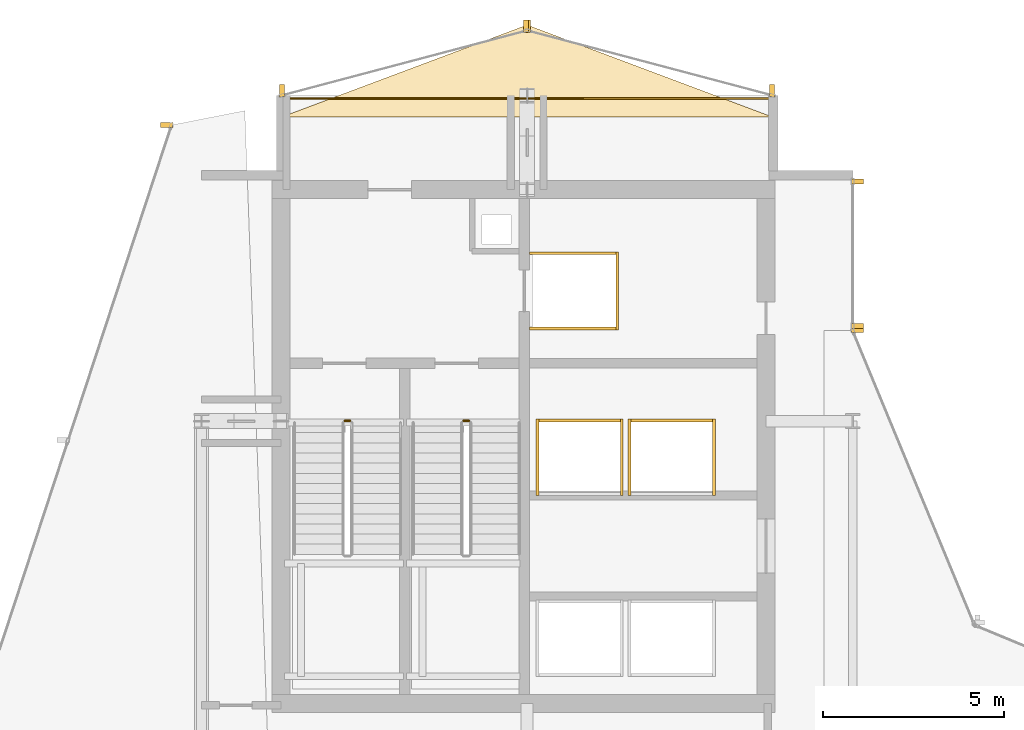
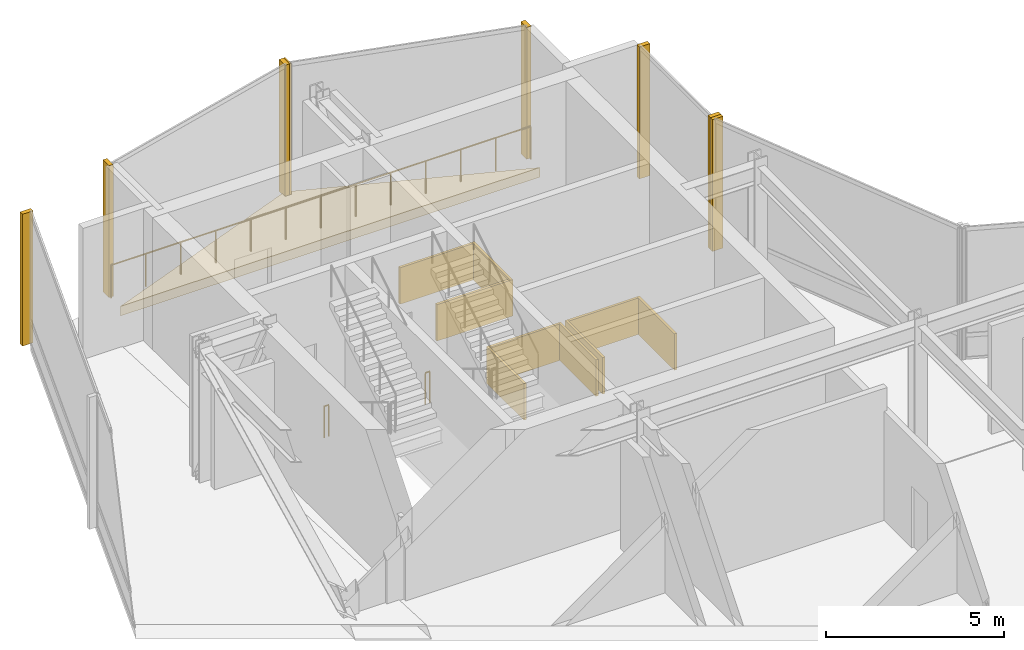
# One storey, part 30 of 30: 10 coverings, 8 shading devices, 3 railings.
"""IFC4 building model written with IfcOpenShell, lengths in metres."""

from ifc_helpers import new_model, si_unit, direction, frame, origin, origin_2d, place, context, subcontext, project, spatial, polyline, rectangle, circle, outline, extrude, material, layer, layer_set, type_object, element, save


model = new_model("IFC4")

# Units and contexts
model_context = context("Model", 3, precision=1e-05, world=origin(), true_north=direction((0.0, 1.0)))
body_context = subcontext(model_context, "Body", "Model", "MODEL_VIEW")
ifc_project = project(units=[si_unit("LENGTHUNIT", "METRE"), si_unit("AREAUNIT", "SQUARE_METRE"), si_unit("VOLUMEUNIT", "CUBIC_METRE"), si_unit("PLANEANGLEUNIT", "RADIAN"), si_unit("MASSUNIT", "GRAM", prefix="KILO")], contexts=[model_context])

# Site, building, storey
site_placement = place(None, origin())
site = spatial("IfcSite", under=ifc_project, at=site_placement, CompositionType="ELEMENT")
building_placement = place(site_placement, origin())
building = spatial("IfcBuilding", under=site, at=building_placement, Name="Solvaryn Broadcast Tower", CompositionType="ELEMENT")
storey_placement = place(building_placement, frame((0.0, 0.0, 196.39990234375)))
storey = spatial("IfcBuildingStorey", under=building, at=storey_placement, Name="L49", CompositionType="ELEMENT", Elevation=196.39990234375)

# Coverings
ifc_material_1 = material(Name="Fire-Rated Gypsum Shaftwall Liner", Category="concrete")
ifc_layer_1 = layer(ifc_material_1, 0.080078125)
ifc_layer_set_1 = layer_set([ifc_layer_1], Name="CV-SHAFT-LINER")
covering_type_1 = type_object("IfcCoveringType", Name="CV-SHAFT-LINER", PredefinedType="CLADDING", material=ifc_layer_set_1)
for number, where, z_axis, x_axis, name in (
    (1, (19.300048828125, 40.639892578125, 0.0), (0.0, 0.0, 1.0), (1.0, 0.0, 0.0), "L49 FL1 Hoistway Shaft Liner North"),
    (2, (19.300048828125, 38.56005859375, 0.0), (0.0, 0.0, 1.0), (1.0, 0.0, 0.0), "L49 FL1 Hoistway Shaft Liner South"),
):
    element("IfcCovering", number, at=place(storey_placement, frame(where, z_axis=z_axis, x_axis=x_axis)), inside=storey, type_object=covering_type_1, Name=name, PredefinedType="CLADDING", context=body_context, shape_type="SweptSolid", body=[
        extrude(rectangle(XDim=2.4599609375, YDim=0.080078125, at=origin_2d()), origin(), (0.0, 0.0, 1.0), 1.25),
    ])
covering_1_placement = place(storey_placement, frame((20.489990234375, 39.60009765625, 0.0), z_axis=(0.0, 0.0, 1.0), x_axis=(1.0, 0.0, 0.0)))
element("IfcCovering", 3, at=covering_1_placement, inside=storey, type_object=covering_type_1, Name="L49 FL1 Hoistway Shaft Liner East", PredefinedType="CLADDING", context=body_context, shape_type="SweptSolid", body=[
    extrude(rectangle(XDim=0.080078125, YDim=2.159912109375, at=origin_2d()), origin(), (0.0, 0.0, 1.0), 1.25),
])
covering_2_placement = place(storey_placement, frame((19.449951171875, 36.014892578125, 0.0), z_axis=(0.0, 0.0, 1.0), x_axis=(1.0, 0.0, 0.0)))
element("IfcCovering", 4, at=covering_2_placement, inside=storey, type_object=covering_type_1, Name="L49 PH3 Hoistway Shaft Liner North", PredefinedType="CLADDING", context=body_context, shape_type="SweptSolid", body=[
    extrude(rectangle(XDim=2.409912109375, YDim=0.080078125, at=origin_2d()), origin(), (0.0, 0.0, 1.0), 1.25),
])
for number, where, z_axis, x_axis, name in (
    (5, (20.614990234375, 35.0, 0.0), (0.0, 0.0, 1.0), (1.0, 0.0, 0.0), "L49 PH3 Hoistway Shaft Liner East"),
    (6, (18.284912109375, 35.0, 0.0), (0.0, 0.0, 1.0), (1.0, 0.0, 0.0), "L49 PH3 Hoistway Shaft Liner West"),
):
    element("IfcCovering", number, at=place(storey_placement, frame(where, z_axis=z_axis, x_axis=x_axis)), inside=storey, type_object=covering_type_1, Name=name, PredefinedType="CLADDING", context=body_context, shape_type="SweptSolid", body=[
        extrude(rectangle(XDim=0.080078125, YDim=2.110107421875, at=origin_2d()), origin(), (0.0, 0.0, 1.0), 1.25),
    ])
covering_3_placement = place(storey_placement, frame((22.0, 36.014892578125, 0.0), z_axis=(0.0, 0.0, 1.0), x_axis=(1.0, 0.0, 0.0)))
element("IfcCovering", 7, at=covering_3_placement, inside=storey, type_object=covering_type_1, Name="L49 PH4 Hoistway Shaft Liner North", PredefinedType="CLADDING", context=body_context, shape_type="SweptSolid", body=[
    extrude(rectangle(XDim=2.409912109375, YDim=0.080078125, at=origin_2d()), origin(), (0.0, 0.0, 1.0), 1.25),
])
for number, where, z_axis, x_axis, name in (
    (8, (23.1650390625, 35.0, 0.0), (0.0, 0.0, 1.0), (1.0, 0.0, 0.0), "L49 PH4 Hoistway Shaft Liner East"),
    (9, (20.8349609375, 35.0, 0.0), (0.0, 0.0, 1.0), (1.0, 0.0, 0.0), "L49 PH4 Hoistway Shaft Liner West"),
):
    element("IfcCovering", number, at=place(storey_placement, frame(where, z_axis=z_axis, x_axis=x_axis)), inside=storey, type_object=covering_type_1, Name=name, PredefinedType="CLADDING", context=body_context, shape_type="SweptSolid", body=[
        extrude(rectangle(XDim=0.080078125, YDim=2.110107421875, at=origin_2d()), origin(), (0.0, 0.0, 1.0), 1.25),
    ])
ifc_material_2 = material(Name="Sculpted Architectural Terracotta Wave Fascia", Category="masonry")
ifc_layer_2 = layer(ifc_material_2, 0.340087890625)
ifc_layer_set_2 = layer_set([ifc_layer_2], Name="CV-WAVE-TRAY")
covering_type_2 = type_object("IfcCoveringType", Name="CV-WAVE-TRAY", PredefinedType="CLADDING", material=ifc_layer_set_2)
covering_4_placement = place(storey_placement, frame((0.0, 0.0, -0.2998046875)))
element("IfcCovering", 10, at=covering_4_placement, inside=storey, type_object=covering_type_2, Name="L49 North Curved Wing Deck", PredefinedType="CLADDING", context=body_context, shape_type="SweptSolid", body=[
    extrude(outline(polyline([(11.199951171875, 44.39990234375), (24.800048828125, 44.39990234375), (18.0, 46.949951171875), (11.199951171875, 44.39990234375)])), origin(), (0.0, 0.0, 1.0), 0.329833984375),
])

# Railings
ifc_material_3 = material(Name="Painted Steel Stair Well Guard", Category="steel")
railing_type_1 = type_object("IfcRailingType", Name="RL-STAIR-GUARD", PredefinedType="BALUSTRADE", material=ifc_material_3)
railing_1_placement = place(storey_placement, frame((12.9599609375, 36.010009765625, 0.0)))
element("IfcRailing", 11, at=railing_1_placement, inside=storey, type_object=railing_type_1, Name="L49 ST1 stair guard 4", PredefinedType="BALUSTRADE", context=body_context, shape_type="SweptSolid", body=[
    extrude(circle(Radius=0.02392578125, at=origin_2d()), frame((0.0, 0.0, 1.076171875), z_axis=(1.0, 0.0, 0.0), x_axis=(0.0, 1.0, 0.0)), (0.0, 0.0, 1.0), 0.150146484375),
    extrude(circle(Radius=0.02099609375, at=origin_2d()), origin(), (0.0, 0.0, 1.0), 1.052001953125),
    extrude(circle(Radius=0.02099609375, at=origin_2d()), frame((0.150146484375, 0.0, 0.0)), (0.0, 0.0, 1.0), 1.052001953125),
])
railing_2_placement = place(storey_placement, frame((16.239990234375, 36.010009765625, 0.0)))
element("IfcRailing", 12, at=railing_2_placement, inside=storey, type_object=railing_type_1, Name="L49 ST2 stair guard 4", PredefinedType="BALUSTRADE", context=body_context, shape_type="SweptSolid", body=[
    extrude(circle(Radius=0.02392578125, at=origin_2d()), frame((0.0, 0.0, 1.076171875), z_axis=(1.0, 0.0, 0.0), x_axis=(0.0, 1.0, 0.0)), (0.0, 0.0, 1.0), 0.14990234375),
    extrude(circle(Radius=0.02099609375, at=origin_2d()), origin(), (0.0, 0.0, 1.0), 1.052001953125),
    extrude(circle(Radius=0.02099609375, at=origin_2d()), frame((0.14990234375, 0.0, 0.0)), (0.0, 0.0, 1.0), 1.052001953125),
])
ifc_material_4 = material(Name="Stainless Steel and Laminated Glass Guard", Category="steel")
railing_type_2 = type_object("IfcRailingType", Name="RL-TER-1150", PredefinedType="BALUSTRADE", material=ifc_material_4)
railing_3_placement = place(storey_placement, frame((11.199951171875, 44.919921875, 0.0)))
element("IfcRailing", 13, at=railing_3_placement, inside=storey, type_object=railing_type_2, Name="L49 North Wing Spandrel Edge Guard", PredefinedType="BALUSTRADE", context=body_context, shape_type="SweptSolid", body=[
    extrude(circle(Radius=0.02392578125, at=origin_2d()), frame((0.0, 0.0, 1.1259765625), z_axis=(1.0, 0.0, 0.0), x_axis=(0.0, 1.0, 0.0)), (0.0, 0.0, 1.0), 13.60009765625),
    extrude(circle(Radius=0.02099609375, at=origin_2d()), origin(), (0.0, 0.0, 1.0), 1.101806640625),
    extrude(circle(Radius=0.02099609375, at=origin_2d()), frame((1.13330078125, 0.0, 0.0)), (0.0, 0.0, 1.0), 1.101806640625),
    extrude(circle(Radius=0.02099609375, at=origin_2d()), frame((2.2666015625, 0.0, 0.0)), (0.0, 0.0, 1.0), 1.101806640625),
    extrude(circle(Radius=0.02099609375, at=origin_2d()), frame((3.39990234375, 0.0, 0.0)), (0.0, 0.0, 1.0), 1.101806640625),
    extrude(circle(Radius=0.02099609375, at=origin_2d()), frame((4.533447265625, 0.0, 0.0)), (0.0, 0.0, 1.0), 1.101806640625),
    extrude(circle(Radius=0.02099609375, at=origin_2d()), frame((5.666748046875, 0.0, 0.0)), (0.0, 0.0, 1.0), 1.101806640625),
    extrude(circle(Radius=0.02099609375, at=origin_2d()), frame((6.800048828125, 0.0, 0.0)), (0.0, 0.0, 1.0), 1.101806640625),
    extrude(circle(Radius=0.02099609375, at=origin_2d()), frame((7.933349609375, 0.0, 0.0)), (0.0, 0.0, 1.0), 1.101806640625),
    extrude(circle(Radius=0.02099609375, at=origin_2d()), frame((9.066650390625, 0.0, 0.0)), (0.0, 0.0, 1.0), 1.101806640625),
    extrude(circle(Radius=0.02099609375, at=origin_2d()), frame((10.2001953125, 0.0, 0.0)), (0.0, 0.0, 1.0), 1.101806640625),
    extrude(circle(Radius=0.02099609375, at=origin_2d()), frame((11.33349609375, 0.0, 0.0)), (0.0, 0.0, 1.0), 1.101806640625),
    extrude(circle(Radius=0.02099609375, at=origin_2d()), frame((12.466796875, 0.0, 0.0)), (0.0, 0.0, 1.0), 1.101806640625),
    extrude(circle(Radius=0.02099609375, at=origin_2d()), frame((13.60009765625, 0.0, 0.0)), (0.0, 0.0, 1.0), 1.101806640625),
])

# Shading devices
ifc_material_5 = material(Name="Anodised Aluminium Acoustic Louvre", Category="aluminium")
shading_device_type = type_object("IfcShadingDeviceType", Name="LV-01 Plant Intake Louvre", PredefinedType="USERDEFINED", material=ifc_material_5)
for number, where, z_axis, x_axis, name in (
    (14, (8.039794921875, 44.19091796875, 0.0), (0.0, 0.0, 1.0), (1.0, 0.0, 0.0), "L49 Plant Acoustic Louvre LV-CW-L49-DR1/M00"),
    (15, (27.125, 42.6201171875, 0.0), (0.0, 0.0, 1.0), (1.0, 0.0, 0.0), "L49 Plant Acoustic Louvre LV-CW-L49-IV/M00"),
    (16, (27.125, 38.6298828125, 0.0), (0.0, 0.0, 1.0), (1.0, 0.0, 0.0), "L49 Plant Acoustic Louvre LV-CW-L49-IV/M01"),
    (17, (27.12255859375, 38.518310546875, 0.0), (0.0, 0.0, 1.0), (1.0, 0.0, 0.0), "L49 Plant Acoustic Louvre LV-CW-L49-CN2/M01"),
):
    element("IfcShadingDevice", number, at=place(storey_placement, frame(where, z_axis=z_axis, x_axis=x_axis)), inside=storey, type_object=shading_device_type, Name=name, ObjectType="LOUVRE", PredefinedType="USERDEFINED", context=body_context, shape_type="SweptSolid", body=[
        extrude(rectangle(XDim=0.340087890625, YDim=0.139892578125, at=origin_2d()), origin(), (0.0, 0.0, 1.0), 4.52001953125),
    ])
for number, where, z_axis, x_axis, name in (
    (18, (24.77099609375, 45.1328125, 0.0), (0.0, 0.0, 1.0), (1.0, 0.0, 0.0), "L49 Plant Acoustic Louvre LV-CW-L49-NT1/M00"),
    (19, (18.029052734375, 46.917236328125, 0.0), (0.0, 0.0, 1.0), (1.0, 0.0, 0.0), "L49 Plant Acoustic Louvre LV-CW-L49-NT1/M01"),
    (20, (17.970947265625, 46.917236328125, 0.0), (0.0, 0.0, 1.0), (1.0, 0.0, 0.0), "L49 Plant Acoustic Louvre LV-CW-L49-NT2/M00"),
    (21, (11.22900390625, 45.1328125, 0.0), (0.0, 0.0, 1.0), (1.0, 0.0, 0.0), "L49 Plant Acoustic Louvre LV-CW-L49-NT2/M01"),
):
    element("IfcShadingDevice", number, at=place(storey_placement, frame(where, z_axis=z_axis, x_axis=x_axis)), inside=storey, type_object=shading_device_type, Name=name, ObjectType="LOUVRE", PredefinedType="USERDEFINED", context=body_context, shape_type="SweptSolid", body=[
        extrude(rectangle(XDim=0.139892578125, YDim=0.340087890625, at=origin_2d()), origin(), (0.0, 0.0, 1.0), 4.52001953125),
    ])

save(model, "model.ifc")
